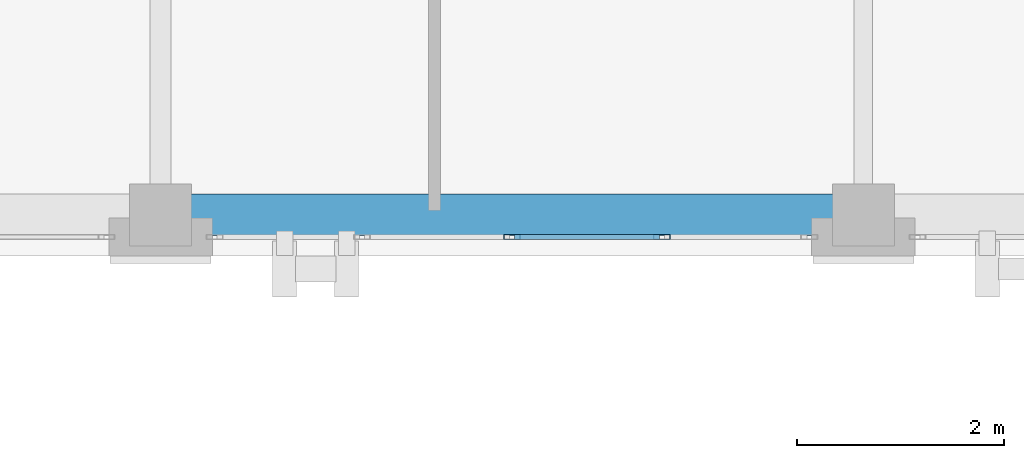
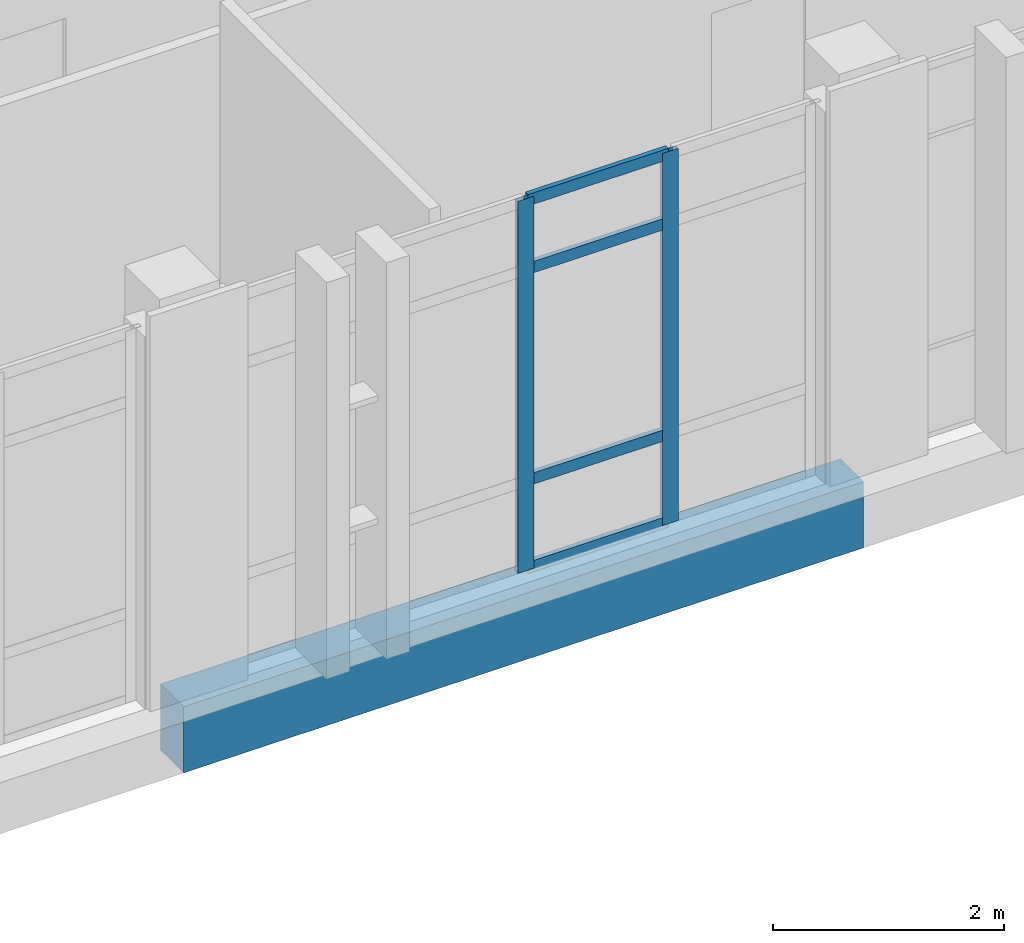
# One storey, part 24 of 77: 6 members, 1 beam, 1 element without a shape of its own.
"""IFC4 building model written with IfcOpenShell, lengths in metres."""

from ifc_helpers import new_model, si_unit, direction, frame, origin, origin_2d, place, context, subcontext, project, spatial, rectangle, hollow_rectangle, extrude, material, layer, layer_set, material_profile, profile_set, type_object, element, aggregate, save


model = new_model("IFC4")

# Units and contexts
model_context = context("Model", 3, precision=1e-05, world=origin(), true_north=direction((0.0, 1.0)))
body_context = subcontext(model_context, "Body", "Model", "MODEL_VIEW")
ifc_project = project(units=[si_unit("LENGTHUNIT", "METRE"), si_unit("AREAUNIT", "SQUARE_METRE"), si_unit("VOLUMEUNIT", "CUBIC_METRE"), si_unit("PLANEANGLEUNIT", "RADIAN"), si_unit("MASSUNIT", "GRAM", prefix="KILO")], contexts=[model_context])

# Site, building, storey
site_placement = place(None, origin())
site = spatial("IfcSite", under=ifc_project, at=site_placement, CompositionType="ELEMENT")
building_placement = place(site_placement, origin())
building = spatial("IfcBuilding", under=site, at=building_placement, Name="Qalavern Law Courts", CompositionType="ELEMENT")
storey_placement = place(building_placement, frame((0.0, 0.0, 27.0)))
storey = spatial("IfcBuildingStorey", under=building, at=storey_placement, Name="L06", CompositionType="ELEMENT", Elevation=27.0)

# Curtain wall, members
ifc_material_1 = material(Name="Anodised aluminium and insulated glazing", Category="aluminium")
ifc_layer = layer(ifc_material_1, 0.166015625)
ifc_layer_set = layer_set([ifc_layer], Name="Anodised aluminium and insulated glazing")
curtain_wall_type = type_object("IfcCurtainWallType", Name="ENV-CW-LIB", PredefinedType="USERDEFINED", material=ifc_layer_set)
curtain_wall_placement = place(storey_placement, origin())
curtain_wall = element("IfcCurtainWall", 1, at=curtain_wall_placement, inside=storey, type_object=curtain_wall_type, Name="V5 unitised curtain wall L06 south 4", ObjectType="UNITISED CURTAIN WALL", PredefinedType="USERDEFINED")
ifc_material_2 = material(Name="Anodised aluminium", Category="aluminium")
ifc_material_profile_1 = material_profile(ifc_material_2, hollow_rectangle(XDim=0.048095703125, YDim=0.159912109375, WallThickness=0.00390625, at=origin_2d()), Name="ALU MULLION 48x160")
ifc_profile_set_1 = profile_set([ifc_material_profile_1], Name="Anodised aluminium")
member_type_1 = type_object("IfcMemberType", Name="ENV-CWM-48x160", PredefinedType="MULLION", material=ifc_profile_set_1)
member_1_placement = place(storey_placement, frame((48.199951171875, 96.385009765625, 0.0), z_axis=(0.0, 0.0, 1.0), x_axis=(0.0, 1.0, 0.0)))
member_1 = element("IfcMember", 2, at=member_1_placement, type_object=member_type_1, Name="CW-05 mullion 3", PredefinedType="MULLION", context=body_context, shape_type="SweptSolid", body=[
    extrude(hollow_rectangle(XDim=0.048095703125, YDim=0.159912109375, WallThickness=0.00390625, at=origin_2d()), origin(), (0.0, 0.0, 1.0), 3.93505859375),
])
member_2_placement = place(storey_placement, frame((49.64990234375, 96.385009765625, 0.0), z_axis=(0.0, 0.0, 1.0), x_axis=(0.0, 1.0, 0.0)))
member_2 = element("IfcMember", 3, at=member_2_placement, type_object=member_type_1, Name="CW-05 mullion 4", PredefinedType="MULLION", context=body_context, shape_type="SweptSolid", body=[
    extrude(hollow_rectangle(XDim=0.048095703125, YDim=0.159912109375, WallThickness=0.00390625, at=origin_2d()), origin(), (0.0, 0.0, 1.0), 3.93505859375),
])
ifc_material_profile_2 = material_profile(ifc_material_2, hollow_rectangle(XDim=0.048095703125, YDim=0.1201171875, WallThickness=0.00390625, at=origin_2d()), Name="ALU TRANSOM 48x120")
ifc_profile_set_2 = profile_set([ifc_material_profile_2], Name="Anodised aluminium")
member_type_2 = type_object("IfcMemberType", Name="ENV-CWT-48x120", PredefinedType="USERDEFINED", material=ifc_profile_set_2)
member_3_placement = place(storey_placement, frame((48.22412109375, 96.385009765625, 0.02392578125), z_axis=(1.0, 0.0, 0.0), x_axis=(0.0, 1.0, 0.0)))
member_3 = element("IfcMember", 4, at=member_3_placement, type_object=member_type_2, Name="CW-05 transom 3.1", ObjectType="TRANSOM", PredefinedType="USERDEFINED", context=body_context, shape_type="SweptSolid", body=[
    extrude(hollow_rectangle(XDim=0.048095703125, YDim=0.1201171875, WallThickness=0.00390625, at=origin_2d()), origin(), (0.0, 0.0, 1.0), 1.40185546875),
])
member_4_placement = place(storey_placement, frame((48.22412109375, 96.385009765625, 0.949951171875), z_axis=(1.0, 0.0, 0.0), x_axis=(0.0, 1.0, 0.0)))
member_4 = element("IfcMember", 5, at=member_4_placement, type_object=member_type_2, Name="CW-05 transom 3.2", ObjectType="TRANSOM", PredefinedType="USERDEFINED", context=body_context, shape_type="SweptSolid", body=[
    extrude(hollow_rectangle(XDim=0.048095703125, YDim=0.1201171875, WallThickness=0.00390625, at=origin_2d()), origin(), (0.0, 0.0, 1.0), 1.40185546875),
])
member_5_placement = place(storey_placement, frame((48.22412109375, 96.385009765625, 3.18505859375), z_axis=(1.0, 0.0, 0.0), x_axis=(0.0, 1.0, 0.0)))
member_5 = element("IfcMember", 6, at=member_5_placement, type_object=member_type_2, Name="CW-05 transom 3.3", ObjectType="TRANSOM", PredefinedType="USERDEFINED", context=body_context, shape_type="SweptSolid", body=[
    extrude(hollow_rectangle(XDim=0.048095703125, YDim=0.1201171875, WallThickness=0.00390625, at=origin_2d()), origin(), (0.0, 0.0, 1.0), 1.40185546875),
])
member_6_placement = place(storey_placement, frame((48.22412109375, 96.385009765625, 3.910888671875), z_axis=(1.0, 0.0, 0.0), x_axis=(0.0, 1.0, 0.0)))
member_6 = element("IfcMember", 7, at=member_6_placement, type_object=member_type_2, Name="CW-05 transom 3.4", ObjectType="TRANSOM", PredefinedType="USERDEFINED", context=body_context, shape_type="SweptSolid", body=[
    extrude(hollow_rectangle(XDim=0.048095703125, YDim=0.1201171875, WallThickness=0.00390625, at=origin_2d()), origin(), (0.0, 0.0, 1.0), 1.40185546875),
])
aggregate(curtain_wall, [member_1, member_2, member_3, member_4, member_5, member_6])

# Beam
ifc_material_3 = material(Name="Concrete C40/50", Category="concrete")
ifc_material_profile_3 = material_profile(ifc_material_3, rectangle(XDim=0.39990234375, YDim=0.699951171875, at=origin_2d()), Name="RC 400x700")
ifc_profile_set_3 = profile_set([ifc_material_profile_3], Name="Concrete C40/50")
beam_type = type_object("IfcBeamType", Name="STR-SP-RC400x700", PredefinedType="SPANDREL", material=ifc_profile_set_3)
beam_placement = place(storey_placement, frame((44.800048828125, 96.60009765625, -0.6201171875), z_axis=(1.0, 0.0, 0.0), x_axis=(0.0, 1.0, 0.0)))
element("IfcBeam", 8, at=beam_placement, inside=storey, type_object=beam_type, Name="V5 X-beam 1-3 L06", PredefinedType="SPANDREL", context=body_context, shape_type="SweptSolid", body=[
    extrude(rectangle(XDim=0.39990234375, YDim=0.699951171875, at=origin_2d()), origin(), (0.0, 0.0, 1.0), 6.800048828125),
])

save(model, "model.ifc")
